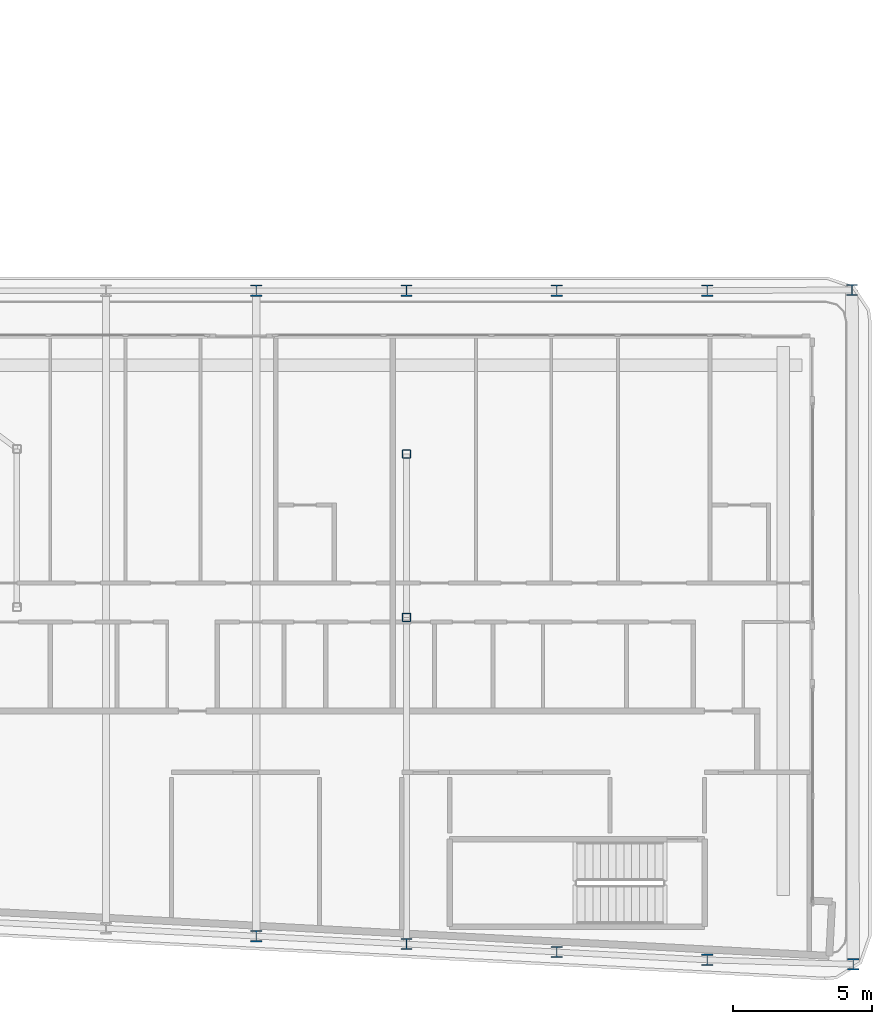
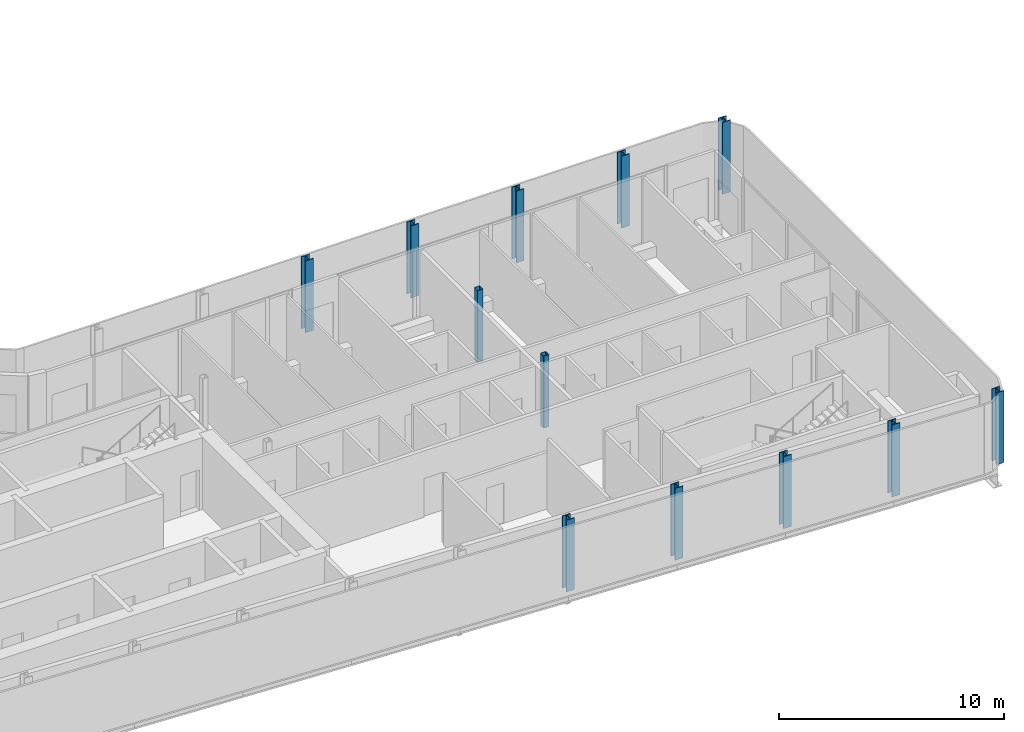
# One storey, part 2 of 23: 12 columns.
"""IFC4 building model written with IfcOpenShell, lengths in metres."""

from ifc_helpers import new_model, si_unit, direction, frame, origin, origin_2d, place, context, subcontext, project, spatial, hollow_rectangle, i_section, extrude, material, material_profile, profile_set, type_object, element, save


model = new_model("IFC4")

# Units and contexts
model_context = context("Model", 3, precision=1e-05, world=origin(), true_north=direction((0.0, 1.0)))
body_context = subcontext(model_context, "Body", "Model", "MODEL_VIEW")
ifc_project = project(units=[si_unit("LENGTHUNIT", "METRE"), si_unit("AREAUNIT", "SQUARE_METRE"), si_unit("VOLUMEUNIT", "CUBIC_METRE"), si_unit("PLANEANGLEUNIT", "RADIAN"), si_unit("MASSUNIT", "GRAM", prefix="KILO")], contexts=[model_context])

# Site, building, storey
site_placement = place(None, origin())
site = spatial("IfcSite", under=ifc_project, at=site_placement, CompositionType="ELEMENT")
building_placement = place(site_placement, origin())
building = spatial("IfcBuilding", under=site, at=building_placement, Name="Kheshtan School and Residences Tower", CompositionType="ELEMENT")
storey_placement = place(building_placement, frame((0.0, 0.0, 239.60009765625)))
storey = spatial("IfcBuildingStorey", under=building, at=storey_placement, Name="L56", CompositionType="ELEMENT", Elevation=239.60009765625)

# Columns
ifc_material_1 = material(Name="Steel ASTM A992 Grade 50", Category="steel")
ifc_material_profile_1 = material_profile(ifc_material_1, i_section(OverallWidth=0.404052734375, OverallDepth=0.406982421875, WebThickness=0.027099609375, FlangeThickness=0.043701171875, FilletRadius=0.01220703125, at=origin_2d()), Name="W360x347")
ifc_profile_set_1 = profile_set([ifc_material_profile_1], Name="Steel ASTM A992 Grade 50")
column_type_1 = type_object("IfcColumnType", Name="Column C4 W360x347 ASTM A992 Grade 50", PredefinedType="COLUMN", material=ifc_profile_set_1)
for number, where, z_axis, x_axis, name in (
    (1, (85.243896484375, 21.39990234375, 0.0), (0.0, 0.0, 1.0), (1.0, 0.0, 0.0), "Column C011"),
    (2, (80.0, 21.55810546875, 0.0), (0.0, 0.0, 1.0), (1.0, 0.0, 0.0), "Column C012"),
    (3, (74.60009765625, 21.843017578125, 0.0), (0.0, 0.0, 1.0), (1.0, 0.0, 0.0), "Column C013"),
    (4, (69.199951171875, 22.126953125, 0.0), (0.0, 0.0, 1.0), (1.0, 0.0, 0.0), "Column C014"),
    (5, (63.800048828125, 22.410888671875, 0.0), (0.0, 0.0, 1.0), (1.0, 0.0, 0.0), "Column C016"),
    (6, (63.800048828125, 45.60009765625, 0.0), (0.0, 0.0, 1.0), (1.0, 0.0, 0.0), "Column C063"),
    (7, (69.199951171875, 45.60009765625, 0.0), (0.0, 0.0, 1.0), (1.0, 0.0, 0.0), "Column C064"),
    (8, (74.60009765625, 45.60009765625, 0.0), (0.0, 0.0, 1.0), (1.0, 0.0, 0.0), "Column C065"),
    (9, (80.0, 45.60009765625, 0.0), (0.0, 0.0, 1.0), (1.0, 0.0, 0.0), "Column C066"),
    (10, (85.201904296875, 45.6279296875, 0.0), (0.0, 0.0, 1.0), (1.0, 0.0, 0.0), "Column C076"),
):
    element("IfcColumn", number, at=place(storey_placement, frame(where, z_axis=z_axis, x_axis=x_axis)), inside=storey, type_object=column_type_1, Name=name, PredefinedType="COLUMN", context=body_context, shape_type="SweptSolid", body=[
        extrude(i_section(OverallWidth=0.404052734375, OverallDepth=0.406982421875, WebThickness=0.027099609375, FlangeThickness=0.043701171875, FilletRadius=0.01220703125, at=origin_2d()), origin(), (0.0, 0.0, 1.0), 3.89990234375),
    ])
ifc_material_2 = material(Name="Steel ASTM A500 Grade C", Category="steel")
ifc_material_profile_2 = material_profile(ifc_material_2, hollow_rectangle(XDim=0.304931640625, YDim=0.304931640625, WallThickness=0.015869140625, InnerFilletRadius=0.015869140625, OuterFilletRadius=0.03173828125, at=origin_2d()), Name="HSS 305x305x15.9")
ifc_profile_set_2 = profile_set([ifc_material_profile_2], Name="Steel ASTM A500 Grade C")
column_type_2 = type_object("IfcColumnType", Name="Column IC2 HSS 305x305x15.9 ASTM A500 Grade C", PredefinedType="COLUMN", material=ifc_profile_set_2)
for number, where, z_axis, x_axis, name in (
    (11, (69.199951171875, 33.863037109375, 0.0), (0.0, 0.0, 1.0), (1.0, 0.0, 0.0), "Column C050"),
    (12, (69.199951171875, 39.73193359375, 0.0), (0.0, 0.0, 1.0), (1.0, 0.0, 0.0), "Column C054"),
):
    element("IfcColumn", number, at=place(storey_placement, frame(where, z_axis=z_axis, x_axis=x_axis)), inside=storey, type_object=column_type_2, Name=name, PredefinedType="COLUMN", context=body_context, shape_type="SweptSolid", body=[
        extrude(hollow_rectangle(XDim=0.304931640625, YDim=0.304931640625, WallThickness=0.015869140625, InnerFilletRadius=0.015869140625, OuterFilletRadius=0.03173828125, at=origin_2d()), origin(), (0.0, 0.0, 1.0), 3.89990234375),
    ])

save(model, "model.ifc")
